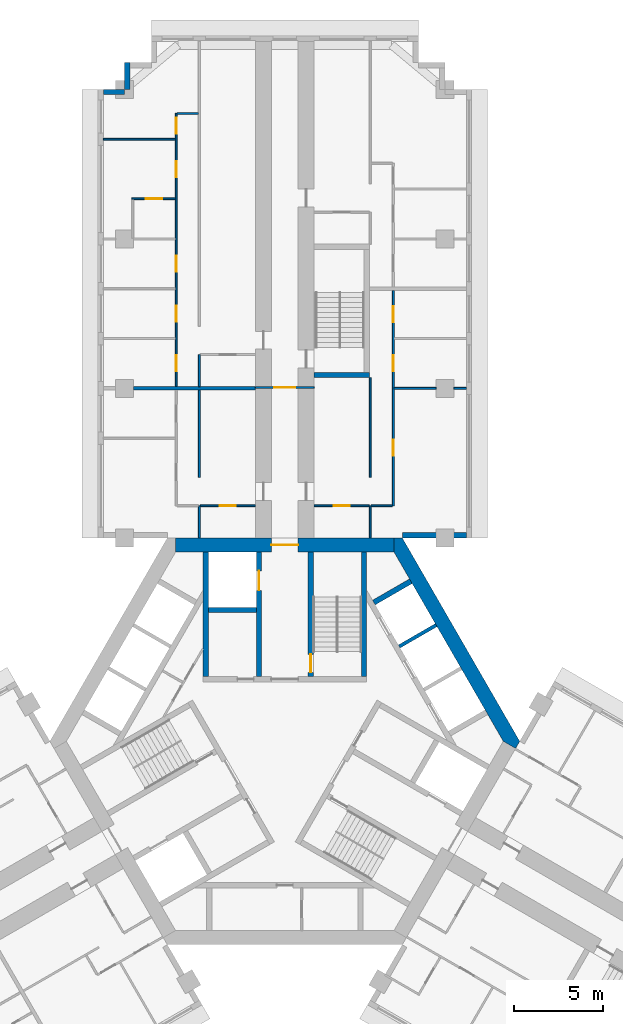
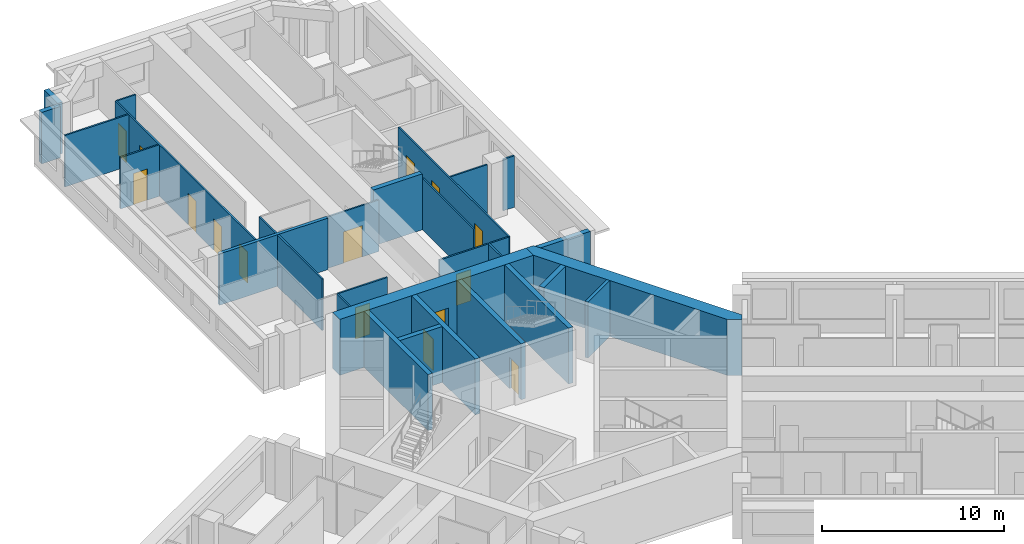
# One storey, part 8 of 12: 30 walls, 15 doors, 15 openings.
"""IFC4 building model written with IfcOpenShell, lengths in metres."""

import ifcopenshell
import ifcopenshell.guid

model = None  # the IFC model being written
_history = None  # IfcOwnerHistory: only IFC2X3 demands one
_inside = {}  # id of a spatial element -> (the spatial element, [elements in it])
_under = {}  # id of a project, library or spatial element -> (it, [spatial elements below it])
_declared = {}  # id of a project -> (the project, [libraries it declares])
_typed = {}  # id of a type object -> (the type object, [elements of that type])
_made_of = {}  # id of a material, layer set ... -> (it, [elements and type objects made of it])


def new_model(schema):
    """Start an empty IFC model of exactly this schema.

    Asked for "IFC4X3", IfcOpenShell would pick the latest addendum, in which some entities
    have other attributes; the version numbers below select the first issue.
    IFC2X3 requires an IfcOwnerHistory on every rooted entity: one is made here for all.
    """
    global model, _history
    if schema == "IFC4X3":
        model = ifcopenshell.file(schema_version=(4, 3, 0, 0))
    else:
        model = ifcopenshell.file(schema=schema)
    _inside.clear()
    _under.clear()
    _declared.clear()
    _typed.clear()
    _made_of.clear()
    _history = None
    if model.schema == "IFC2X3":
        org = make("IfcOrganization", Name="unknown")
        user = make(
            "IfcPersonAndOrganization",
            ThePerson=make("IfcPerson", FamilyName="unknown"),
            TheOrganization=org,
        )
        app = make(
            "IfcApplication",
            ApplicationDeveloper=org,
            Version="unknown",
            ApplicationFullName="unknown",
            ApplicationIdentifier="unknown",
        )
        _history = make(
            "IfcOwnerHistory",
            OwningUser=user,
            OwningApplication=app,
            ChangeAction="ADDED",
            CreationDate=0,
        )
    return model


def make(cls, **values):
    """One entity of the class cls with the attributes given. An attribute that is None is left unset."""
    return model.create_entity(
        cls, **{name: value for name, value in values.items() if value is not None}
    )


def rooted(cls, **values):
    """An entity with a GlobalId (a new one), such as an element, a storey or a relation."""
    return make(cls, GlobalId=ifcopenshell.guid.new(), OwnerHistory=_history, **values)


def si_unit(unit_type, name, prefix=None):
    """IfcSIUnit, for example si_unit("LENGTHUNIT", "METRE", prefix="MILLI")."""
    return make("IfcSIUnit", UnitType=unit_type, Prefix=prefix, Name=name)


def assignment(units):
    """IfcUnitAssignment: the units of a project."""
    return None if units is None else make("IfcUnitAssignment", Units=units)


def point(xyz):
    """IfcCartesianPoint."""
    return None if xyz is None else make("IfcCartesianPoint", Coordinates=xyz)


def direction(xyz):
    """IfcDirection."""
    return None if xyz is None else make("IfcDirection", DirectionRatios=xyz)


def frame(location, z_axis=None, x_axis=None):
    """IfcAxis2Placement3D, a coordinate frame: its origin and axes. An axis left out is left unset."""
    return make(
        "IfcAxis2Placement3D",
        Location=point(location),
        Axis=direction(z_axis),
        RefDirection=direction(x_axis),
    )


def frame_2d(location, x_axis=None):
    """IfcAxis2Placement2D, a coordinate frame in the plane: its origin and x axis."""
    return make(
        "IfcAxis2Placement2D", Location=point(location), RefDirection=direction(x_axis)
    )


def origin():
    """The frame at (0, 0, 0) with its axes left unset."""
    return frame((0.0, 0.0, 0.0))


def place(relative_to, where):
    """IfcLocalPlacement: puts the frame where relative to a parent placement (None: the world)."""
    return make(
        "IfcLocalPlacement", PlacementRelTo=relative_to, RelativePlacement=where
    )


def context(
    kind, dimensions, precision=None, world=None, true_north=None, identifier=None
):
    """IfcGeometricRepresentationContext, for example the 3D "Model" context."""
    return make(
        "IfcGeometricRepresentationContext",
        ContextIdentifier=identifier,
        ContextType=kind,
        CoordinateSpaceDimension=dimensions,
        Precision=precision,
        WorldCoordinateSystem=world,
        TrueNorth=true_north,
    )


def subcontext(parent, identifier, kind, view, scale=None):
    """IfcGeometricRepresentationSubContext, for example "Body" below "Model"."""
    return make(
        "IfcGeometricRepresentationSubContext",
        ContextIdentifier=identifier,
        ContextType=kind,
        ParentContext=parent,
        TargetScale=scale,
        TargetView=view,
    )


def project(units=None, contexts=None):
    """IfcProject with its units and contexts."""
    return rooted(
        "IfcProject",
        Name="project",
        RepresentationContexts=contexts,
        UnitsInContext=assignment(units),
    )


def spatial(cls, under=None, at=None, **own):
    """A site, building, storey or space (cls), placed at a placement, below another one or the project."""
    s = rooted(cls, ObjectPlacement=at, **own)
    if under is not None:
        _under.setdefault(under.id(), (under, []))[1].append(s)
    return s


def polyline(points):
    """IfcPolyline through the points."""
    return make("IfcPolyline", Points=[point(p) for p in points])


def profile(cls, at=None, kind="AREA", **sizes):
    """A parametric profile (cls). Its sizes go by their IFC names, for example OverallWidth=200.0."""
    return make(cls, ProfileType=kind, Position=at, **sizes)


def rectangle(**sizes):
    """IfcRectangleProfileDef."""
    return profile("IfcRectangleProfileDef", **sizes)


def outline(outer, holes=None, kind="AREA"):
    """IfcArbitraryClosedProfileDef: a profile drawn as a closed curve; with holes, ...WithVoids."""
    if holes is None:
        return make("IfcArbitraryClosedProfileDef", ProfileType=kind, OuterCurve=outer)
    return make(
        "IfcArbitraryProfileDefWithVoids",
        ProfileType=kind,
        OuterCurve=outer,
        InnerCurves=holes,
    )


def extrude(swept, where, along, depth):
    """IfcExtrudedAreaSolid: the profile swept, set in the frame where, extruded along a direction by depth."""
    return make(
        "IfcExtrudedAreaSolid",
        SweptArea=swept,
        Position=where,
        ExtrudedDirection=direction(along),
        Depth=depth,
    )


def shape(context_of_items, identifier, shape_type, items):
    """IfcShapeRepresentation: the items that make up one representation, for example the "Body"."""
    return make(
        "IfcShapeRepresentation",
        ContextOfItems=context_of_items,
        RepresentationIdentifier=identifier,
        RepresentationType=shape_type,
        Items=items,
    )


def material(Name=None, Category=None):
    """IfcMaterial."""
    return make("IfcMaterial", Name=Name, Category=Category)


def layer(
    of_material, thickness, ventilated=None, Name=None, Category=None, Priority=None
):
    """IfcMaterialLayer: one layer of a wall or slab, of a material (None: an air gap)."""
    return make(
        "IfcMaterialLayer",
        Material=of_material,
        LayerThickness=thickness,
        IsVentilated=ventilated,
        Name=Name,
        Category=Category,
        Priority=Priority,
    )


def layer_set(layers, Name=None):
    """IfcMaterialLayerSet."""
    return make("IfcMaterialLayerSet", MaterialLayers=layers, LayerSetName=Name)


def made_of(thing, what):
    """Note that an element or type object is made of a material, layer set ...; save() writes the relation."""
    if what is not None:
        _made_of.setdefault(what.id(), (what, []))[1].append(thing)
    return thing


def type_object(cls, material=None, **own):
    """A type object (cls), such as IfcWallType, which elements share."""
    return made_of(rooted(cls, **own), material)


def element(
    cls,
    number,
    at=None,
    inside=None,
    cuts=None,
    type_object=None,
    material=None,
    context=None,
    identifier="Body",
    shape_type=None,
    held_by="IfcProductDefinitionShape",
    body=None,
    shapes=None,
    **own,
):
    """One element of the class cls, such as IfcWall. Its Tag is "e" and its number.

    at: its placement. inside: the storey or other place that contains it. cuts: it is an
    opening in that element (IfcRelVoidsElement). A single representation is given by context,
    identifier, shape_type and body (its items); several are given by shapes. held_by: the class
    of the entity that holds the representations. save() writes the other relations.
    """
    e = rooted(cls, Tag="e%d" % number, ObjectPlacement=at, **own)
    if body is not None:
        shapes = [shape(context, identifier, shape_type, body)]
    if shapes is not None:
        e.Representation = make(held_by, Representations=shapes)
    if inside is not None:
        _inside.setdefault(inside.id(), (inside, []))[1].append(e)
    if cuts is not None:
        rooted(
            "IfcRelVoidsElement", RelatingBuildingElement=cuts, RelatedOpeningElement=e
        )
    if type_object is not None:
        _typed.setdefault(type_object.id(), (type_object, []))[1].append(e)
    return made_of(e, material)


def fill(opening, filler):
    """IfcRelFillsElement: the door or window that sits in an opening."""
    return rooted(
        "IfcRelFillsElement",
        RelatingOpeningElement=opening,
        RelatedBuildingElement=filler,
    )


def aggregate(whole, parts):
    """IfcRelAggregates: a whole, such as a stair, and the parts it consists of."""
    return rooted("IfcRelAggregates", RelatingObject=whole, RelatedObjects=parts)


def save(model, path):
    """Write the relations noted so far, then the file.

    IfcRelAggregates (storeys below a building ...), IfcRelContainedInSpatialStructure (elements
    in a storey), IfcRelDefinesByType, IfcRelAssociatesMaterial and IfcRelDeclares: one each for
    every whole, place, type object, material and project.
    """
    for whole, parts in _under.values():
        aggregate(whole, parts)
    for where, things in _inside.values():
        rooted(
            "IfcRelContainedInSpatialStructure",
            RelatedElements=things,
            RelatingStructure=where,
        )
    for kind, things in _typed.values():
        rooted("IfcRelDefinesByType", RelatedObjects=things, RelatingType=kind)
    for what, things in _made_of.values():
        rooted("IfcRelAssociatesMaterial", RelatedObjects=things, RelatingMaterial=what)
    for by, libraries in _declared.values():
        rooted("IfcRelDeclares", RelatingContext=by, RelatedDefinitions=libraries)
    model.write(path)


model = new_model("IFC4")

# Units and contexts
model_context = context("Model", 3, precision=1e-05, world=origin(), true_north=direction((0.0, 1.0)))
body_context = subcontext(model_context, "Body", "Model", "MODEL_VIEW")
ifc_project = project(units=[si_unit("LENGTHUNIT", "METRE"), si_unit("AREAUNIT", "SQUARE_METRE"), si_unit("VOLUMEUNIT", "CUBIC_METRE"), si_unit("PLANEANGLEUNIT", "RADIAN"), si_unit("MASSUNIT", "GRAM", prefix="KILO")], contexts=[model_context])

# Site, building, storey
site_placement = place(None, origin())
site = spatial("IfcSite", under=ifc_project, at=site_placement, CompositionType="ELEMENT")
building_placement = place(site_placement, origin())
building = spatial("IfcBuilding", under=site, at=building_placement, Name="Impinga Residences", CompositionType="ELEMENT")
storey_placement = place(building_placement, frame((0.0, 0.0, 177.25)))
storey = spatial("IfcBuildingStorey", under=building, at=storey_placement, Name="L44", CompositionType="ELEMENT", Elevation=177.25)

# Wall, opening, door
ifc_material_1 = material(Name="Concrete blockwork", Category="masonry")
ifc_layer_1 = layer(ifc_material_1, 0.10009765625)
ifc_layer_set_1 = layer_set([ifc_layer_1], Name="CP1 core room partition, blockwork 100")
wall_type_1 = type_object("IfcWallType", Name="CP1 core room partition, blockwork 100", PredefinedType="PARTITIONING", material=ifc_layer_set_1)
wall_1_placement = place(storey_placement, frame((-1.64990234375, 19.882080078125, 0.0), z_axis=(0.0, 0.0, 1.0), x_axis=(1.0, 0.0, 0.0)))
wall_1 = element("IfcWall", 1, at=wall_1_placement, inside=storey, type_object=wall_type_1, Name="Core room partition, blockwork L44:N:SCR", PredefinedType="PARTITIONING", context=body_context, shape_type="SweptSolid", body=[
    extrude(rectangle(XDim=3.2998046875, YDim=0.10009765625, at=frame_2d((1.64990234375, 0.0))), origin(), (0.0, 0.0, 1.0), 3.449951171875),
])
opening_1_placement = place(wall_1_placement, frame((1.050048828125, 0.0, 0.0)))
opening_1 = element("IfcOpeningElement", 2, at=opening_1_placement, cuts=wall_1, Name="Opening D3", PredefinedType="OPENING", context=body_context, shape_type="SweptSolid", body=[
    extrude(rectangle(XDim=1.199951171875, YDim=2.10009765625, at=frame_2d((0.60009765625, 1.050048828125))), frame((0.0, 0.06005859375, 0.0), z_axis=(0.0, -1.0, 0.0), x_axis=(1.0, 0.0, 0.0)), (0.0, 0.0, 1.0), 0.1201171875),
])
ifc_material_2 = material(Name="Timber door set", Category="wood")
door_type_1 = type_object("IfcDoorType", Name="D3 room door, leaf and a half 1200x2100", OperationType="DOUBLE_SWING_LEFT", PredefinedType="DOOR", material=ifc_material_2)
door_1_placement = place(opening_1_placement, origin())
door_1 = element("IfcDoor", 3, at=door_1_placement, inside=storey, type_object=door_type_1, Name="Corridor smoke door N", OperationType="DOUBLE_SWING_LEFT", OverallHeight=2.10009765625, OverallWidth=1.199951171875, PredefinedType="DOOR", context=body_context, shape_type="SweptSolid", body=[
    extrude(rectangle(XDim=1.199951171875, YDim=2.10009765625, at=frame_2d((0.60009765625, 1.050048828125))), frame((0.0, 0.02490234375, 0.0), z_axis=(0.0, -1.0, 0.0), x_axis=(1.0, 0.0, 0.0)), (0.0, 0.0, 1.0), 0.050048828125),
])
fill(opening_1, door_1)

# Walls
ifc_material_3 = material(Name="Terracotta rainscreen on blockwork", Category="masonry")
ifc_layer_2 = layer(ifc_material_3, 0.300048828125)
ifc_layer_set_2 = layer_set([ifc_layer_2], Name="EW1 external wall, terracotta rainscreen on blockwork 300")
wall_type_2 = type_object("IfcWallType", Name="EW1 external wall, terracotta rainscreen on blockwork 300", PredefinedType="SOLIDWALL", material=ifc_layer_set_2)
wall_2_placement = place(storey_placement, frame((-10.199951171875, 36.4814453125, 0.0), z_axis=(0.0, 0.0, 1.0), x_axis=(1.0, 0.0, 0.0)))
element("IfcWall", 4, at=wall_2_placement, inside=storey, type_object=wall_type_2, Name="External wall EW1 L44", PredefinedType="SOLIDWALL", context=body_context, shape_type="SweptSolid", body=[
    extrude(rectangle(XDim=1.199951171875, YDim=0.300048828125, at=frame_2d((0.60009765625, 0.0))), origin(), (0.0, 0.0, 1.0), 3.449951171875),
])
wall_3_placement = place(storey_placement, frame((-8.85009765625, 36.636474609375, 0.0), z_axis=(0.0, 0.0, 1.0), x_axis=(0.0, 1.0, 0.0)))
element("IfcWall", 5, at=wall_3_placement, inside=storey, type_object=wall_type_2, Name="External wall EW1 L44", PredefinedType="SOLIDWALL", context=body_context, shape_type="SweptSolid", body=[
    extrude(rectangle(XDim=1.4951171875, YDim=0.300048828125, at=frame_2d((0.74755859375, 0.0))), origin(), (0.0, 0.0, 1.0), 3.449951171875),
])
wall_4_placement = place(storey_placement, frame((10.199951171875, 11.58154296875, 0.0), z_axis=(0.0, 0.0, 1.0), x_axis=(-1.0, 0.0, 0.0)))
element("IfcWall", 6, at=wall_4_placement, inside=storey, type_object=wall_type_2, Name="External wall EW1 L44", PredefinedType="SOLIDWALL", context=body_context, shape_type="SweptSolid", body=[
    extrude(rectangle(XDim=3.599853515625, YDim=0.300048828125, at=frame_2d((1.7998046875, 0.0))), origin(), (0.0, 0.0, 1.0), 3.449951171875),
])
ifc_material_4 = material(Name="Gypsum board on steel studs", Category="steel")
ifc_layer_3 = layer(ifc_material_4, 0.10009765625)
ifc_layer_set_3 = layer_set([ifc_layer_3], Name="Gypsum board on steel studs")
wall_type_3 = type_object("IfcWallType", Name="IP1 partition 100", PredefinedType="PARTITIONING", material=ifc_layer_set_3)
wall_5_placement = place(storey_placement, frame((-4.800048828125, 11.431640625, 0.0), z_axis=(0.0, 0.0, 1.0), x_axis=(0.0, 1.0, 0.0)))
element("IfcWall", 7, at=wall_5_placement, inside=storey, type_object=wall_type_3, Name="Partition L44-NA1:DIV0", PredefinedType="PARTITIONING", context=body_context, shape_type="SweptSolid", body=[
    extrude(rectangle(XDim=1.7998046875, YDim=0.10009765625, at=frame_2d((0.89990234375, 0.0))), origin(), (0.0, 0.0, 1.0), 3.449951171875),
])
wall_6_placement = place(storey_placement, frame((-4.800048828125, 14.83154296875, 0.0), z_axis=(0.0, 0.0, 1.0), x_axis=(0.0, 1.0, 0.0)))
element("IfcWall", 8, at=wall_6_placement, inside=storey, type_object=wall_type_3, Name="Partition L44-NA1:DIV1", PredefinedType="PARTITIONING", context=body_context, shape_type="SweptSolid", body=[
    extrude(rectangle(XDim=4.89990234375, YDim=0.10009765625, at=frame_2d((2.449951171875, 0.0))), origin(), (0.0, 0.0, 1.0), 3.449951171875),
])

# Wall, opening, door
wall_7_placement = place(storey_placement, frame((-1.64990234375, 13.2314453125, 0.0), z_axis=(0.0, 0.0, 1.0), x_axis=(-1.0, 0.0, 0.0)))
wall_7 = element("IfcWall", 9, at=wall_7_placement, inside=storey, type_object=wall_type_3, Name="Partition L44-NA1:IB1", PredefinedType="PARTITIONING", context=body_context, shape_type="SweptSolid", body=[
    extrude(rectangle(XDim=3.10009765625, YDim=0.10009765625, at=frame_2d((1.550048828125, 0.0))), origin(), (0.0, 0.0, 1.0), 3.449951171875),
])
opening_2_placement = place(wall_7_placement, frame((1.10009765625, 0.0, 0.0)))
opening_2 = element("IfcOpeningElement", 10, at=opening_2_placement, cuts=wall_7, Name="Opening D2", PredefinedType="OPENING", context=body_context, shape_type="SweptSolid", body=[
    extrude(rectangle(XDim=0.89990234375, YDim=2.10009765625, at=frame_2d((0.449951171875, 1.050048828125))), frame((0.0, 0.06005859375, 0.0), z_axis=(0.0, -1.0, 0.0), x_axis=(1.0, 0.0, 0.0)), (0.0, 0.0, 1.0), 0.1201171875),
])
door_type_2 = type_object("IfcDoorType", Name="D2 internal door 900x2100", OperationType="SINGLE_SWING_LEFT", PredefinedType="DOOR", material=ifc_material_2)
door_2_placement = place(opening_2_placement, origin())
door_2 = element("IfcDoor", 11, at=door_2_placement, inside=storey, type_object=door_type_2, Name="Apartment L44-NA1 bathroom door", OperationType="SINGLE_SWING_LEFT", OverallHeight=2.10009765625, OverallWidth=0.89990234375, PredefinedType="DOOR", context=body_context, shape_type="SweptSolid", body=[
    extrude(rectangle(XDim=0.89990234375, YDim=2.10009765625, at=frame_2d((0.449951171875, 1.050048828125))), frame((0.0, 0.02490234375, 0.0), z_axis=(0.0, -1.0, 0.0), x_axis=(1.0, 0.0, 0.0)), (0.0, 0.0, 1.0), 0.050048828125),
])
fill(opening_2, door_2)

# Wall
wall_8_placement = place(storey_placement, frame((-4.800048828125, 19.931640625, 0.0), z_axis=(0.0, 0.0, 1.0), x_axis=(0.0, 1.0, 0.0)))
element("IfcWall", 12, at=wall_8_placement, inside=storey, type_object=wall_type_3, Name="Partition L44-NA2:DIV0", PredefinedType="PARTITIONING", context=body_context, shape_type="SweptSolid", body=[
    extrude(rectangle(XDim=1.7998046875, YDim=0.10009765625, at=frame_2d((0.89990234375, 0.0))), origin(), (0.0, 0.0, 1.0), 3.449951171875),
])

# Wall, openings, doors
wall_9_placement = place(storey_placement, frame((-6.10009765625, 19.931640625, 0.0), z_axis=(0.0, 0.0, 1.0), x_axis=(0.0, 1.0, 0.0)))
wall_9 = element("IfcWall", 13, at=wall_9_placement, inside=storey, type_object=wall_type_3, Name="Partition L44-NA2:STRIP", PredefinedType="PARTITIONING", context=body_context, shape_type="SweptSolid", body=[
    extrude(rectangle(XDim=15.349853515625, YDim=0.10009765625, at=frame_2d((7.6748046875, 0.0))), origin(), (0.0, 0.0, 1.0), 3.449951171875),
])
opening_3_placement = place(wall_9_placement, frame((0.875, 0.0, 0.0)))
opening_3 = element("IfcOpeningElement", 14, at=opening_3_placement, cuts=wall_9, Name="Opening D2", PredefinedType="OPENING", context=body_context, shape_type="SweptSolid", body=[
    extrude(rectangle(XDim=0.89990234375, YDim=2.10009765625, at=frame_2d((0.449951171875, 1.050048828125))), frame((0.0, 0.06005859375, 0.0), z_axis=(0.0, -1.0, 0.0), x_axis=(1.0, 0.0, 0.0)), (0.0, 0.0, 1.0), 0.1201171875),
])
opening_4_placement = place(wall_9_placement, frame((3.64990234375, 0.0, 0.0)))
opening_4 = element("IfcOpeningElement", 15, at=opening_4_placement, cuts=wall_9, Name="Opening D2", PredefinedType="OPENING", context=body_context, shape_type="SweptSolid", body=[
    extrude(rectangle(XDim=0.89990234375, YDim=2.10009765625, at=frame_2d((0.449951171875, 1.050048828125))), frame((0.0, 0.06005859375, 0.0), z_axis=(0.0, -1.0, 0.0), x_axis=(1.0, 0.0, 0.0)), (0.0, 0.0, 1.0), 0.1201171875),
])
opening_5_placement = place(wall_9_placement, frame((6.449951171875, 0.0, 0.0)))
opening_5 = element("IfcOpeningElement", 16, at=opening_5_placement, cuts=wall_9, Name="Opening D2", PredefinedType="OPENING", context=body_context, shape_type="SweptSolid", body=[
    extrude(rectangle(XDim=0.89990234375, YDim=2.10009765625, at=frame_2d((0.449951171875, 1.050048828125))), frame((0.0, 0.06005859375, 0.0), z_axis=(0.0, -1.0, 0.0), x_axis=(1.0, 0.0, 0.0)), (0.0, 0.0, 1.0), 0.1201171875),
])
opening_6_placement = place(wall_9_placement, frame((11.77490234375, 0.0, 0.0)))
opening_6 = element("IfcOpeningElement", 17, at=opening_6_placement, cuts=wall_9, Name="Opening D2", PredefinedType="OPENING", context=body_context, shape_type="SweptSolid", body=[
    extrude(rectangle(XDim=0.89990234375, YDim=2.10009765625, at=frame_2d((0.449951171875, 1.050048828125))), frame((0.0, 0.06005859375, 0.0), z_axis=(0.0, -1.0, 0.0), x_axis=(1.0, 0.0, 0.0)), (0.0, 0.0, 1.0), 0.1201171875),
])
opening_7_placement = place(wall_9_placement, frame((14.199951171875, 0.0, 0.0)))
opening_7 = element("IfcOpeningElement", 18, at=opening_7_placement, cuts=wall_9, Name="Opening D2", PredefinedType="OPENING", context=body_context, shape_type="SweptSolid", body=[
    extrude(rectangle(XDim=0.89990234375, YDim=2.10009765625, at=frame_2d((0.449951171875, 1.050048828125))), frame((0.0, 0.06005859375, 0.0), z_axis=(0.0, -1.0, 0.0), x_axis=(1.0, 0.0, 0.0)), (0.0, 0.0, 1.0), 0.1201171875),
])
door_3_placement = place(opening_3_placement, origin())
door_3 = element("IfcDoor", 19, at=door_3_placement, inside=storey, type_object=door_type_2, Name="Apartment L44-NA2 room door", OperationType="SINGLE_SWING_LEFT", OverallHeight=2.10009765625, OverallWidth=0.89990234375, PredefinedType="DOOR", context=body_context, shape_type="SweptSolid", body=[
    extrude(rectangle(XDim=0.89990234375, YDim=2.10009765625, at=frame_2d((0.449951171875, 1.050048828125))), frame((0.0, 0.02490234375, 0.0), z_axis=(0.0, -1.0, 0.0), x_axis=(1.0, 0.0, 0.0)), (0.0, 0.0, 1.0), 0.050048828125),
])
fill(opening_3, door_3)
door_4_placement = place(opening_4_placement, origin())
door_4 = element("IfcDoor", 20, at=door_4_placement, inside=storey, type_object=door_type_2, Name="Apartment L44-NA2 room door", OperationType="SINGLE_SWING_LEFT", OverallHeight=2.10009765625, OverallWidth=0.89990234375, PredefinedType="DOOR", context=body_context, shape_type="SweptSolid", body=[
    extrude(rectangle(XDim=0.89990234375, YDim=2.10009765625, at=frame_2d((0.449951171875, 1.050048828125))), frame((0.0, 0.02490234375, 0.0), z_axis=(0.0, -1.0, 0.0), x_axis=(1.0, 0.0, 0.0)), (0.0, 0.0, 1.0), 0.050048828125),
])
fill(opening_4, door_4)
door_5_placement = place(opening_5_placement, origin())
door_5 = element("IfcDoor", 21, at=door_5_placement, inside=storey, type_object=door_type_2, Name="Apartment L44-NA2 room door", OperationType="SINGLE_SWING_LEFT", OverallHeight=2.10009765625, OverallWidth=0.89990234375, PredefinedType="DOOR", context=body_context, shape_type="SweptSolid", body=[
    extrude(rectangle(XDim=0.89990234375, YDim=2.10009765625, at=frame_2d((0.449951171875, 1.050048828125))), frame((0.0, 0.02490234375, 0.0), z_axis=(0.0, -1.0, 0.0), x_axis=(1.0, 0.0, 0.0)), (0.0, 0.0, 1.0), 0.050048828125),
])
fill(opening_5, door_5)
door_6_placement = place(opening_6_placement, origin())
door_6 = element("IfcDoor", 22, at=door_6_placement, inside=storey, type_object=door_type_2, Name="Apartment L44-NA2 room door", OperationType="SINGLE_SWING_RIGHT", OverallHeight=2.10009765625, OverallWidth=0.89990234375, PredefinedType="DOOR", context=body_context, shape_type="SweptSolid", body=[
    extrude(rectangle(XDim=0.89990234375, YDim=2.10009765625, at=frame_2d((0.449951171875, 1.050048828125))), frame((0.0, 0.02490234375, 0.0), z_axis=(0.0, -1.0, 0.0), x_axis=(1.0, 0.0, 0.0)), (0.0, 0.0, 1.0), 0.050048828125),
])
fill(opening_6, door_6)
door_7_placement = place(opening_7_placement, origin())
door_7 = element("IfcDoor", 23, at=door_7_placement, inside=storey, type_object=door_type_2, Name="Apartment L44-NA2 room door", OperationType="SINGLE_SWING_RIGHT", OverallHeight=2.10009765625, OverallWidth=0.89990234375, PredefinedType="DOOR", context=body_context, shape_type="SweptSolid", body=[
    extrude(rectangle(XDim=0.89990234375, YDim=2.10009765625, at=frame_2d((0.449951171875, 1.050048828125))), frame((0.0, 0.02490234375, 0.0), z_axis=(0.0, -1.0, 0.0), x_axis=(1.0, 0.0, 0.0)), (0.0, 0.0, 1.0), 0.050048828125),
])
fill(opening_7, door_7)

# Walls
wall_10_placement = place(storey_placement, frame((-4.85009765625, 35.281494140625, 0.0), z_axis=(0.0, 0.0, 1.0), x_axis=(-1.0, 0.0, 0.0)))
element("IfcWall", 24, at=wall_10_placement, inside=storey, type_object=wall_type_3, Name="Partition L44-NA2:SE1", PredefinedType="PARTITIONING", context=body_context, shape_type="SweptSolid", body=[
    extrude(rectangle(XDim=1.199951171875, YDim=0.10009765625, at=frame_2d((0.60009765625, 0.0))), origin(), (0.0, 0.0, 1.0), 3.449951171875),
])
wall_11_placement = place(storey_placement, frame((-6.14990234375, 33.83154296875, 0.0), z_axis=(0.0, 0.0, 1.0), x_axis=(-1.0, 0.0, 0.0)))
element("IfcWall", 25, at=wall_11_placement, inside=storey, type_object=wall_type_3, Name="Partition L44-NA2:OB4", PredefinedType="PARTITIONING", context=body_context, shape_type="SweptSolid", body=[
    extrude(rectangle(XDim=4.050048828125, YDim=0.10009765625, at=frame_2d((2.02490234375, 0.0))), origin(), (0.0, 0.0, 1.0), 3.449951171875),
])

# Wall, opening, door
wall_12_placement = place(storey_placement, frame((-6.14990234375, 30.4814453125, 0.0), z_axis=(0.0, 0.0, 1.0), x_axis=(-1.0, 0.0, 0.0)))
wall_12 = element("IfcWall", 26, at=wall_12_placement, inside=storey, type_object=wall_type_3, Name="Partition L44-NA2:EN1", PredefinedType="PARTITIONING", context=body_context, shape_type="SweptSolid", body=[
    extrude(rectangle(XDim=2.4501953125, YDim=0.10009765625, at=frame_2d((1.22509765625, 0.0))), origin(), (0.0, 0.0, 1.0), 3.449951171875),
])
opening_8_placement = place(wall_12_placement, frame((0.75, 0.0, 0.0)))
opening_8 = element("IfcOpeningElement", 27, at=opening_8_placement, cuts=wall_12, Name="Opening D2", PredefinedType="OPENING", context=body_context, shape_type="SweptSolid", body=[
    extrude(rectangle(XDim=0.89990234375, YDim=2.10009765625, at=frame_2d((0.449951171875, 1.050048828125))), frame((0.0, 0.06005859375, 0.0), z_axis=(0.0, -1.0, 0.0), x_axis=(1.0, 0.0, 0.0)), (0.0, 0.0, 1.0), 0.1201171875),
])
door_8_placement = place(opening_8_placement, origin())
door_8 = element("IfcDoor", 28, at=door_8_placement, inside=storey, type_object=door_type_2, Name="Apartment L44-NA2 en-suite door", OperationType="SINGLE_SWING_LEFT", OverallHeight=2.10009765625, OverallWidth=0.89990234375, PredefinedType="DOOR", context=body_context, shape_type="SweptSolid", body=[
    extrude(rectangle(XDim=0.89990234375, YDim=2.10009765625, at=frame_2d((0.449951171875, 1.050048828125))), frame((0.0, 0.02490234375, 0.0), z_axis=(0.0, -1.0, 0.0), x_axis=(1.0, 0.0, 0.0)), (0.0, 0.0, 1.0), 0.050048828125),
])
fill(opening_8, door_8)

# Walls
wall_13_placement = place(storey_placement, frame((4.800048828125, 11.431640625, 0.0), z_axis=(0.0, 0.0, 1.0), x_axis=(0.0, 1.0, 0.0)))
element("IfcWall", 29, at=wall_13_placement, inside=storey, type_object=wall_type_3, Name="Partition L44-NF1:DIV0", PredefinedType="PARTITIONING", context=body_context, shape_type="SweptSolid", body=[
    extrude(rectangle(XDim=1.7998046875, YDim=0.10009765625, at=frame_2d((0.89990234375, 0.0))), origin(), (0.0, 0.0, 1.0), 3.449951171875),
])
wall_14_placement = place(storey_placement, frame((4.800048828125, 14.83154296875, 0.0), z_axis=(0.0, 0.0, 1.0), x_axis=(0.0, 1.0, 0.0)))
element("IfcWall", 30, at=wall_14_placement, inside=storey, type_object=wall_type_3, Name="Partition L44-NF1:DIV1", PredefinedType="PARTITIONING", context=body_context, shape_type="SweptSolid", body=[
    extrude(rectangle(XDim=5.60009765625, YDim=0.10009765625, at=frame_2d((2.800048828125, 0.0))), origin(), (0.0, 0.0, 1.0), 3.449951171875),
])

# Wall, openings, doors
wall_15_placement = place(storey_placement, frame((6.10009765625, 13.2314453125, 0.0), z_axis=(0.0, 0.0, 1.0), x_axis=(0.0, 1.0, 0.0)))
wall_15 = element("IfcWall", 31, at=wall_15_placement, inside=storey, type_object=wall_type_3, Name="Partition L44-NF1:STRIP", PredefinedType="PARTITIONING", context=body_context, shape_type="SweptSolid", body=[
    extrude(rectangle(XDim=12.10009765625, YDim=0.10009765625, at=frame_2d((6.050048828125, 0.0))), origin(), (0.0, 0.0, 1.0), 3.449951171875),
])
opening_9_placement = place(wall_15_placement, frame((2.824951171875, 0.0, 0.0)))
opening_9 = element("IfcOpeningElement", 32, at=opening_9_placement, cuts=wall_15, Name="Opening D2", PredefinedType="OPENING", context=body_context, shape_type="SweptSolid", body=[
    extrude(rectangle(XDim=0.89990234375, YDim=2.10009765625, at=frame_2d((0.449951171875, 1.050048828125))), frame((0.0, 0.06005859375, 0.0), z_axis=(0.0, -1.0, 0.0), x_axis=(1.0, 0.0, 0.0)), (0.0, 0.0, 1.0), 0.1201171875),
])
opening_10_placement = place(wall_15_placement, frame((7.550048828125, 0.0, 0.0)))
opening_10 = element("IfcOpeningElement", 33, at=opening_10_placement, cuts=wall_15, Name="Opening D2", PredefinedType="OPENING", context=body_context, shape_type="SweptSolid", body=[
    extrude(rectangle(XDim=0.89990234375, YDim=2.10009765625, at=frame_2d((0.449951171875, 1.050048828125))), frame((0.0, 0.06005859375, 0.0), z_axis=(0.0, -1.0, 0.0), x_axis=(1.0, 0.0, 0.0)), (0.0, 0.0, 1.0), 0.1201171875),
])
opening_11_placement = place(wall_15_placement, frame((10.324951171875, 0.0, 0.0)))
opening_11 = element("IfcOpeningElement", 34, at=opening_11_placement, cuts=wall_15, Name="Opening D2", PredefinedType="OPENING", context=body_context, shape_type="SweptSolid", body=[
    extrude(rectangle(XDim=0.89990234375, YDim=2.10009765625, at=frame_2d((0.449951171875, 1.050048828125))), frame((0.0, 0.06005859375, 0.0), z_axis=(0.0, -1.0, 0.0), x_axis=(1.0, 0.0, 0.0)), (0.0, 0.0, 1.0), 0.1201171875),
])
door_9_placement = place(opening_9_placement, origin())
door_9 = element("IfcDoor", 35, at=door_9_placement, inside=storey, type_object=door_type_2, Name="Apartment L44-NF1 room door", OperationType="SINGLE_SWING_LEFT", OverallHeight=2.10009765625, OverallWidth=0.89990234375, PredefinedType="DOOR", context=body_context, shape_type="SweptSolid", body=[
    extrude(rectangle(XDim=0.89990234375, YDim=2.10009765625, at=frame_2d((0.449951171875, 1.050048828125))), frame((0.0, 0.02490234375, 0.0), z_axis=(0.0, -1.0, 0.0), x_axis=(1.0, 0.0, 0.0)), (0.0, 0.0, 1.0), 0.050048828125),
])
fill(opening_9, door_9)
door_10_placement = place(opening_10_placement, origin())
door_10 = element("IfcDoor", 36, at=door_10_placement, inside=storey, type_object=door_type_2, Name="Apartment L44-NF1 room door", OperationType="SINGLE_SWING_RIGHT", OverallHeight=2.10009765625, OverallWidth=0.89990234375, PredefinedType="DOOR", context=body_context, shape_type="SweptSolid", body=[
    extrude(rectangle(XDim=0.89990234375, YDim=2.10009765625, at=frame_2d((0.449951171875, 1.050048828125))), frame((0.0, 0.02490234375, 0.0), z_axis=(0.0, -1.0, 0.0), x_axis=(1.0, 0.0, 0.0)), (0.0, 0.0, 1.0), 0.050048828125),
])
fill(opening_10, door_10)
door_11_placement = place(opening_11_placement, origin())
door_11 = element("IfcDoor", 37, at=door_11_placement, inside=storey, type_object=door_type_2, Name="Apartment L44-NF1 room door", OperationType="SINGLE_SWING_RIGHT", OverallHeight=2.10009765625, OverallWidth=0.89990234375, PredefinedType="DOOR", context=body_context, shape_type="SweptSolid", body=[
    extrude(rectangle(XDim=0.89990234375, YDim=2.10009765625, at=frame_2d((0.449951171875, 1.050048828125))), frame((0.0, 0.02490234375, 0.0), z_axis=(0.0, -1.0, 0.0), x_axis=(1.0, 0.0, 0.0)), (0.0, 0.0, 1.0), 0.050048828125),
])
fill(opening_11, door_11)

# Wall
wall_16_placement = place(storey_placement, frame((4.85009765625, 13.2314453125, 0.0), z_axis=(0.0, 0.0, 1.0), x_axis=(1.0, 0.0, 0.0)))
element("IfcWall", 38, at=wall_16_placement, inside=storey, type_object=wall_type_3, Name="Partition L44-NF1:SE0", PredefinedType="PARTITIONING", context=body_context, shape_type="SweptSolid", body=[
    extrude(rectangle(XDim=1.199951171875, YDim=0.10009765625, at=frame_2d((0.60009765625, 0.0))), origin(), (0.0, 0.0, 1.0), 3.449951171875),
])

# Wall, opening, door
wall_17_placement = place(storey_placement, frame((1.64990234375, 13.2314453125, 0.0), z_axis=(0.0, 0.0, 1.0), x_axis=(1.0, 0.0, 0.0)))
wall_17 = element("IfcWall", 39, at=wall_17_placement, inside=storey, type_object=wall_type_3, Name="Partition L44-NF1:IB1", PredefinedType="PARTITIONING", context=body_context, shape_type="SweptSolid", body=[
    extrude(rectangle(XDim=3.10009765625, YDim=0.10009765625, at=frame_2d((1.550048828125, 0.0))), origin(), (0.0, 0.0, 1.0), 3.449951171875),
])
opening_12_placement = place(wall_17_placement, frame((1.10009765625, 0.0, 0.0)))
opening_12 = element("IfcOpeningElement", 40, at=opening_12_placement, cuts=wall_17, Name="Opening D2", PredefinedType="OPENING", context=body_context, shape_type="SweptSolid", body=[
    extrude(rectangle(XDim=0.89990234375, YDim=2.10009765625, at=frame_2d((0.449951171875, 1.050048828125))), frame((0.0, 0.06005859375, 0.0), z_axis=(0.0, -1.0, 0.0), x_axis=(1.0, 0.0, 0.0)), (0.0, 0.0, 1.0), 0.1201171875),
])
door_12_placement = place(opening_12_placement, origin())
door_12 = element("IfcDoor", 41, at=door_12_placement, inside=storey, type_object=door_type_2, Name="Apartment L44-NF1 bathroom door", OperationType="SINGLE_SWING_LEFT", OverallHeight=2.10009765625, OverallWidth=0.89990234375, PredefinedType="DOOR", context=body_context, shape_type="SweptSolid", body=[
    extrude(rectangle(XDim=0.89990234375, YDim=2.10009765625, at=frame_2d((0.449951171875, 1.050048828125))), frame((0.0, 0.02490234375, 0.0), z_axis=(0.0, -1.0, 0.0), x_axis=(1.0, 0.0, 0.0)), (0.0, 0.0, 1.0), 0.050048828125),
])
fill(opening_12, door_12)

# Walls
wall_18_placement = place(storey_placement, frame((6.14990234375, 19.83154296875, 0.0), z_axis=(0.0, 0.0, 1.0), x_axis=(1.0, 0.0, 0.0)))
element("IfcWall", 42, at=wall_18_placement, inside=storey, type_object=wall_type_3, Name="Partition L44-NF1:OB1", PredefinedType="PARTITIONING", context=body_context, shape_type="SweptSolid", body=[
    extrude(rectangle(XDim=2.35009765625, YDim=0.10009765625, at=frame_2d((1.175048828125, 0.0))), origin(), (0.0, 0.0, 1.0), 3.449951171875),
])
wall_19_placement = place(storey_placement, frame((9.5, 19.83154296875, 0.0), z_axis=(0.0, 0.0, 1.0), x_axis=(1.0, 0.0, 0.0)))
element("IfcWall", 43, at=wall_19_placement, inside=storey, type_object=wall_type_3, Name="Partition L44-NF1:OB1b", PredefinedType="PARTITIONING", context=body_context, shape_type="SweptSolid", body=[
    extrude(rectangle(XDim=0.699951171875, YDim=0.10009765625, at=frame_2d((0.35009765625, 0.0))), origin(), (0.0, 0.0, 1.0), 3.449951171875),
])
ifc_layer_4 = layer(ifc_material_1, 0.199951171875)
ifc_layer_set_4 = layer_set([ifc_layer_4], Name="PW1 party wall between apartments 200")
wall_type_4 = type_object("IfcWallType", Name="PW1 party wall between apartments 200", PredefinedType="SOLIDWALL", material=ifc_layer_set_4)
wall_20_placement = place(storey_placement, frame((-1.64990234375, 19.83154296875, 0.0), z_axis=(0.0, 0.0, 1.0), x_axis=(-1.0, 0.0, 0.0)))
element("IfcWall", 44, at=wall_20_placement, inside=storey, type_object=wall_type_4, Name="Party wall between apartments L44-NA1:PARTY", PredefinedType="SOLIDWALL", context=body_context, shape_type="SweptSolid", body=[
    extrude(rectangle(XDim=6.85009765625, YDim=0.199951171875, at=frame_2d((3.425048828125, 0.0))), origin(), (0.0, 0.0, 1.0), 3.449951171875),
])
ifc_material_5 = material(Name="Concrete C60/75", Category="concrete")
ifc_layer_5 = layer(ifc_material_5, 0.300048828125)
ifc_layer_set_5 = layer_set([ifc_layer_5], Name="Concrete C60/75")
wall_type_5 = type_object("IfcWallType", Name="SE1 wing stair enclosure wall 300", PredefinedType="SOLIDWALL", material=ifc_layer_set_5)
wall_21_placement = place(storey_placement, frame((1.64990234375, 20.58154296875, 0.0), z_axis=(0.0, 0.0, 1.0), x_axis=(1.0, 0.0, 0.0)))
element("IfcWall", 45, at=wall_21_placement, inside=storey, type_object=wall_type_5, Name="Stair enclosure wall SE1 N END0 L44", PredefinedType="SOLIDWALL", context=body_context, shape_type="SweptSolid", body=[
    extrude(rectangle(XDim=3.10009765625, YDim=0.300048828125, at=frame_2d((1.550048828125, 0.0))), origin(), (0.0, 0.0, 1.0), 3.75),
])

# Wall, opening, door
ifc_layer_6 = layer(ifc_material_5, 0.800048828125)
ifc_layer_set_6 = layer_set([ifc_layer_6], Name="Concrete C60/75")
wall_type_6 = type_object("IfcWallType", Name="SW2 core wall 800", PredefinedType="SHEAR", material=ifc_layer_set_6)
wall_22_placement = place(storey_placement, frame((-6.13818359375, 11.031494140625, 0.0), z_axis=(0.0, 0.0, 1.0), x_axis=(1.0, 0.0, 0.0)))
wall_22 = element("IfcWall", 46, at=wall_22_placement, inside=storey, type_object=wall_type_6, Name="Core wall SW2 N:FACE L44", PredefinedType="SHEAR", context=body_context, shape_type="SweptSolid", body=[
    extrude(rectangle(XDim=12.2763671875, YDim=0.800048828125, at=frame_2d((6.13818359375, 0.0))), origin(), (0.0, 0.0, 1.0), 3.75),
])
opening_13_placement = place(wall_22_placement, frame((5.38818359375, 0.0, 0.0)))
opening_13 = element("IfcOpeningElement", 47, at=opening_13_placement, cuts=wall_22, Name="Opening D4", PredefinedType="OPENING", context=body_context, shape_type="SweptSolid", body=[
    extrude(rectangle(XDim=1.5, YDim=2.10009765625, at=frame_2d((0.75, 1.050048828125))), frame((0.0, 0.409912109375, 0.0), z_axis=(0.0, -1.0, 0.0), x_axis=(1.0, 0.0, 0.0)), (0.0, 0.0, 1.0), 0.820068359375),
])
door_type_3 = type_object("IfcDoorType", Name="D4 lobby door pair 1500x2100", OperationType="DOUBLE_DOOR_DOUBLE_SWING", PredefinedType="DOOR", material=ifc_material_2)
door_13_placement = place(opening_13_placement, origin())
door_13 = element("IfcDoor", 48, at=door_13_placement, inside=storey, type_object=door_type_3, Name="Lobby door N", OperationType="DOUBLE_DOOR_DOUBLE_SWING", OverallHeight=2.10009765625, OverallWidth=1.5, PredefinedType="DOOR", context=body_context, shape_type="SweptSolid", body=[
    extrude(rectangle(XDim=1.5, YDim=2.10009765625, at=frame_2d((0.75, 1.050048828125))), frame((0.0, 0.02490234375, 0.0), z_axis=(0.0, -1.0, 0.0), x_axis=(1.0, 0.0, 0.0)), (0.0, 0.0, 1.0), 0.050048828125),
])
fill(opening_13, door_13)

# Wall
wall_23_placement = place(storey_placement, origin())
element("IfcWall", 49, at=wall_23_placement, inside=storey, type_object=wall_type_6, Name="Core wall SW2 W:EXPOSED L44", PredefinedType="SHEAR", context=body_context, shape_type="SweptSolid", body=[
    extrude(outline(polyline([(13.199951171875, 0.0), (6.60009765625, 11.431640625), (6.13818359375, 11.431640625), (6.13818359375, 10.631591796875), (12.276123046875, 0.0), (12.968994140625, -0.39990234375), (13.199951171875, 0.0)])), origin(), (0.0, 0.0, 1.0), 3.75),
])

# Wall, opening, door
ifc_material_6 = material(Name="Concrete C70/85", Category="concrete")
ifc_layer_7 = layer(ifc_material_6, 0.300048828125)
ifc_layer_set_7 = layer_set([ifc_layer_7], Name="Concrete C70/85")
wall_type_7 = type_object("IfcWallType", Name="SW5 core inner wall, stairs, shafts and lobbies 300", PredefinedType="SHEAR", material=ifc_layer_set_7)
wall_24_placement = place(storey_placement, frame((1.449951171875, 3.6298828125, 0.0), z_axis=(0.0, 0.0, 1.0), x_axis=(0.0, 1.0, 0.0)))
wall_24 = element("IfcWall", 50, at=wall_24_placement, inside=storey, type_object=wall_type_7, Name="Core wall SW5 N:ST-IN L44", PredefinedType="SHEAR", context=body_context, shape_type="SweptSolid", body=[
    extrude(rectangle(XDim=7.001708984375, YDim=0.300048828125, at=frame_2d((3.5009765625, 0.0))), origin(), (0.0, 0.0, 1.0), 3.75),
])
opening_14_placement = place(wall_24_placement, frame((0.25, 0.0, 0.0)))
opening_14 = element("IfcOpeningElement", 51, at=opening_14_placement, cuts=wall_24, Name="Opening D5", PredefinedType="OPENING", context=body_context, shape_type="SweptSolid", body=[
    extrude(rectangle(XDim=1.0, YDim=2.10009765625, at=frame_2d((0.5, 1.050048828125))), frame((0.0, 0.159912109375, 0.0), z_axis=(0.0, -1.0, 0.0), x_axis=(1.0, 0.0, 0.0)), (0.0, 0.0, 1.0), 0.320068359375),
])
door_type_4 = type_object("IfcDoorType", Name="D5 stair door 1000x2100", OperationType="SINGLE_SWING_LEFT", PredefinedType="DOOR", material=ifc_material_2)
door_14_placement = place(opening_14_placement, origin())
door_14 = element("IfcDoor", 52, at=door_14_placement, inside=storey, type_object=door_type_4, Name="Stair door N", OperationType="SINGLE_SWING_LEFT", OverallHeight=2.10009765625, OverallWidth=1.0, PredefinedType="DOOR", context=body_context, shape_type="SweptSolid", body=[
    extrude(rectangle(XDim=1.0, YDim=2.10009765625, at=frame_2d((0.5, 1.050048828125))), frame((0.0, 0.02490234375, 0.0), z_axis=(0.0, -1.0, 0.0), x_axis=(1.0, 0.0, 0.0)), (0.0, 0.0, 1.0), 0.050048828125),
])
fill(opening_14, door_14)

# Wall
wall_25_placement = place(storey_placement, frame((4.449951171875, 3.6298828125, 0.0), z_axis=(0.0, 0.0, 1.0), x_axis=(0.0, 1.0, 0.0)))
element("IfcWall", 53, at=wall_25_placement, inside=storey, type_object=wall_type_7, Name="Core wall SW5 N:ST-OUT L44", PredefinedType="SHEAR", context=body_context, shape_type="SweptSolid", body=[
    extrude(rectangle(XDim=7.001708984375, YDim=0.300048828125, at=frame_2d((3.5009765625, 0.0))), origin(), (0.0, 0.0, 1.0), 3.75),
])

# Wall, opening, door
wall_26_placement = place(storey_placement, frame((-1.449951171875, 3.6298828125, 0.0), z_axis=(0.0, 0.0, 1.0), x_axis=(0.0, 1.0, 0.0)))
wall_26 = element("IfcWall", 54, at=wall_26_placement, inside=storey, type_object=wall_type_7, Name="Core wall SW5 N:FF-IN L44", PredefinedType="SHEAR", context=body_context, shape_type="SweptSolid", body=[
    extrude(rectangle(XDim=7.001708984375, YDim=0.300048828125, at=frame_2d((3.5009765625, 0.0))), origin(), (0.0, 0.0, 1.0), 3.75),
])
opening_15_placement = place(wall_26_placement, frame((4.85009765625, 0.0, 0.0)))
opening_15 = element("IfcOpeningElement", 55, at=opening_15_placement, cuts=wall_26, Name="Opening LD2", PredefinedType="OPENING", context=body_context, shape_type="SweptSolid", body=[
    extrude(rectangle(XDim=1.10009765625, YDim=2.10009765625, at=frame_2d((0.550048828125, 1.050048828125))), frame((0.0, 0.159912109375, 0.0), z_axis=(0.0, -1.0, 0.0), x_axis=(1.0, 0.0, 0.0)), (0.0, 0.0, 1.0), 0.320068359375),
])
ifc_material_7 = material(Name="Steel lift landing door", Category="steel")
door_type_5 = type_object("IfcDoorType", Name="LD2 firefighting lift landing door 1100x2100", OperationType="DOUBLE_DOOR_SLIDING", PredefinedType="DOOR", material=ifc_material_7)
door_15_placement = place(opening_15_placement, origin())
door_15 = element("IfcDoor", 56, at=door_15_placement, inside=storey, type_object=door_type_5, Name="Firefighting lift landing door F1", OperationType="DOUBLE_DOOR_SLIDING", OverallHeight=2.10009765625, OverallWidth=1.10009765625, PredefinedType="DOOR", context=body_context, shape_type="SweptSolid", body=[
    extrude(rectangle(XDim=1.10009765625, YDim=2.10009765625, at=frame_2d((0.550048828125, 1.050048828125))), frame((0.0, 0.02490234375, 0.0), z_axis=(0.0, -1.0, 0.0), x_axis=(1.0, 0.0, 0.0)), (0.0, 0.0, 1.0), 0.050048828125),
])
fill(opening_15, door_15)

# Walls
wall_27_placement = place(storey_placement, frame((-4.449951171875, 3.6298828125, 0.0), z_axis=(0.0, 0.0, 1.0), x_axis=(0.0, 1.0, 0.0)))
element("IfcWall", 57, at=wall_27_placement, inside=storey, type_object=wall_type_7, Name="Core wall SW5 N:FF-OUT L44", PredefinedType="SHEAR", context=body_context, shape_type="SweptSolid", body=[
    extrude(rectangle(XDim=7.001708984375, YDim=0.300048828125, at=frame_2d((3.5009765625, 0.0))), origin(), (0.0, 0.0, 1.0), 3.75),
])
wall_28_placement = place(storey_placement, frame((-4.300048828125, 7.3798828125, 0.0), z_axis=(0.0, 0.0, 1.0), x_axis=(1.0, 0.0, 0.0)))
element("IfcWall", 58, at=wall_28_placement, inside=storey, type_object=wall_type_7, Name="Core wall SW5 N:FF-RS L44", PredefinedType="SHEAR", context=body_context, shape_type="SweptSolid", body=[
    extrude(rectangle(XDim=2.699951171875, YDim=0.300048828125, at=frame_2d((1.35009765625, 0.0))), origin(), (0.0, 0.0, 1.0), 3.75),
])
wall_29_placement = place(storey_placement, frame((5.003662109375, 7.79638671875, 0.0), z_axis=(0.0, 0.0, 1.0), x_axis=(0.866050077142, 0.499957262057, 0.0)))
element("IfcWall", 59, at=wall_29_placement, inside=storey, type_object=wall_type_7, Name="Core wall SW5 W:BANK-L L44", PredefinedType="SHEAR", context=body_context, shape_type="SweptSolid", body=[
    extrude(rectangle(XDim=2.400146484375, YDim=0.300048828125, at=frame_2d((1.2001953125, 0.0))), origin(), (0.0, 0.0, 1.0), 3.75),
])
ifc_layer_8 = layer(ifc_material_6, 0.199951171875)
ifc_layer_set_8 = layer_set([ifc_layer_8], Name="Concrete C70/85")
wall_type_8 = type_object("IfcWallType", Name="SW6 lift shaft divider wall 200", PredefinedType="SHEAR", material=ifc_layer_set_8)
wall_30_placement = place(storey_placement, frame((6.4287109375, 5.328125, 0.0), z_axis=(0.0, 0.0, 1.0), x_axis=(0.865980596518, 0.500077600433, 0.0)))
element("IfcWall", 60, at=wall_30_placement, inside=storey, type_object=wall_type_8, Name="Core wall SW6 W:BANK-D1 L44", PredefinedType="SHEAR", context=body_context, shape_type="SweptSolid", body=[
    extrude(rectangle(XDim=2.39990234375, YDim=0.199951171875, at=frame_2d((1.199951171875, 0.0))), origin(), (0.0, 0.0, 1.0), 3.75),
])

save(model, "model.ifc")
